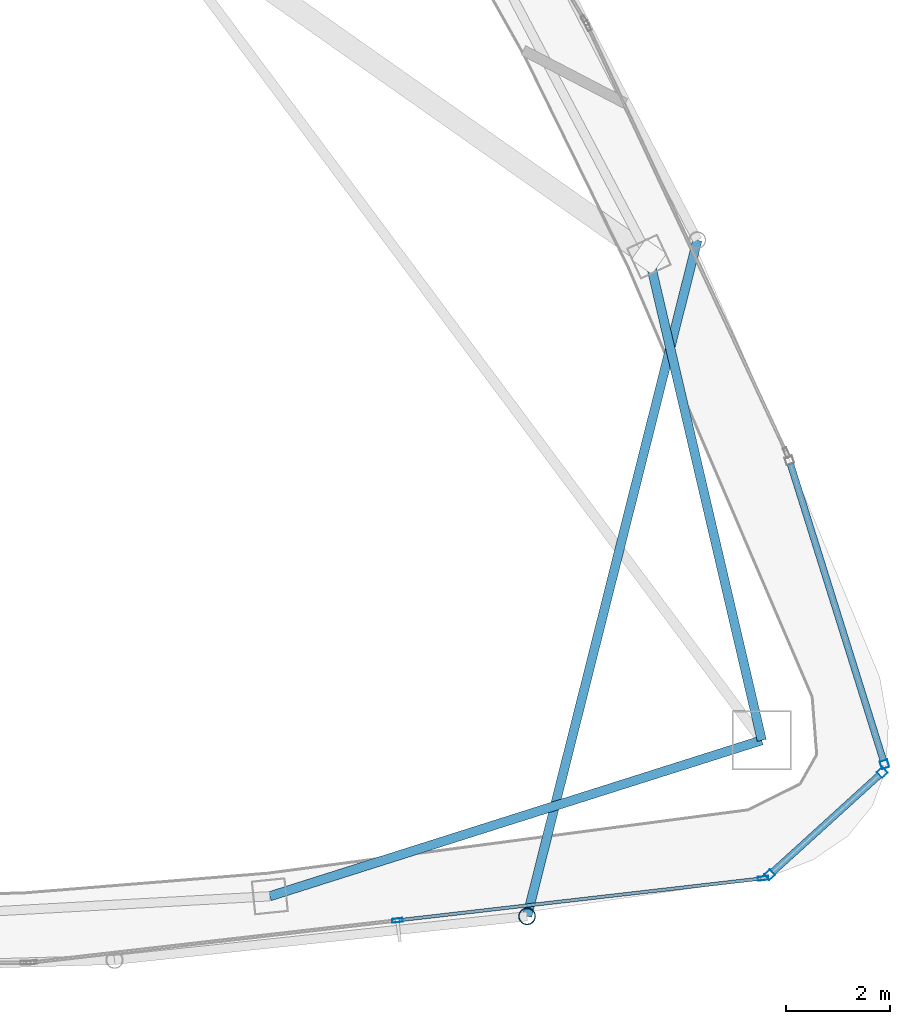
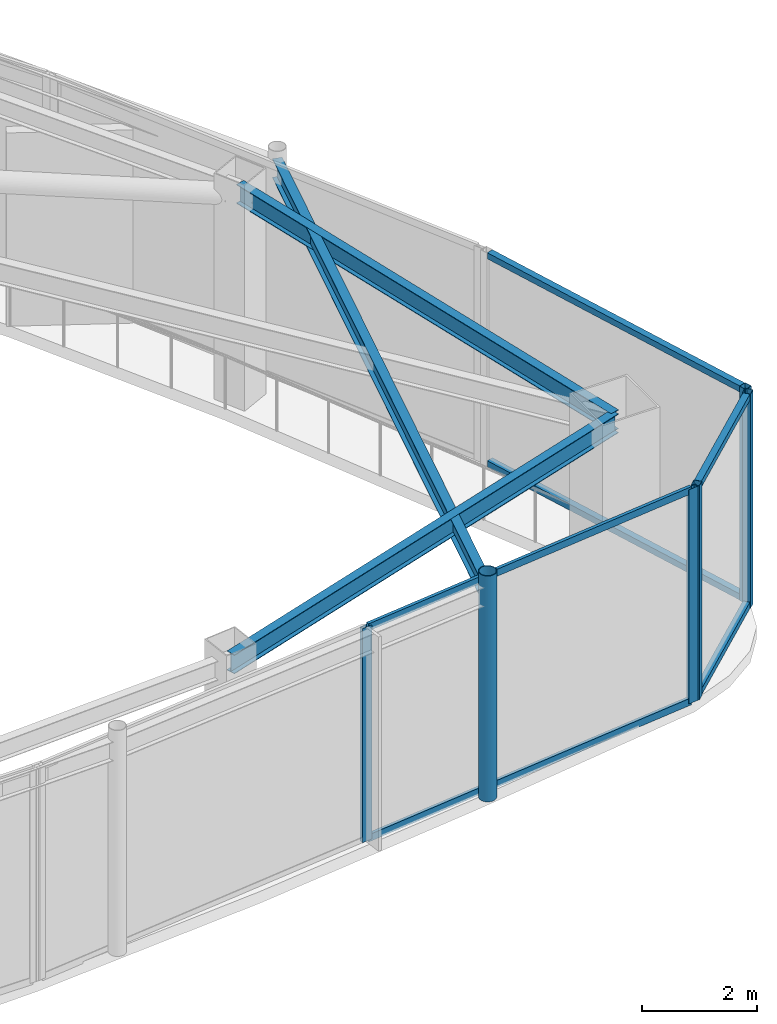
# One storey, part 11 of 20: 12 members, 3 beams, 3 elements without a shape of their own.
"""IFC4 building model written with IfcOpenShell, lengths in metres."""

from ifc_helpers import new_model, si_unit, direction, frame, origin, origin_2d, place, context, subcontext, project, spatial, hollow_rectangle, hollow_circle, i_section, extrude, material, layer, layer_set, material_profile, profile_set, type_object, element, aggregate, save


model = new_model("IFC4")

# Units and contexts
model_context = context("Model", 3, precision=1e-05, world=origin(), true_north=direction((0.0, 1.0)))
body_context = subcontext(model_context, "Body", "Model", "MODEL_VIEW")
ifc_project = project(units=[si_unit("LENGTHUNIT", "METRE"), si_unit("AREAUNIT", "SQUARE_METRE"), si_unit("VOLUMEUNIT", "CUBIC_METRE"), si_unit("PLANEANGLEUNIT", "RADIAN"), si_unit("MASSUNIT", "GRAM", prefix="KILO")], contexts=[model_context])

# Site, building, storey
site_placement = place(None, origin())
site = spatial("IfcSite", under=ifc_project, at=site_placement, CompositionType="ELEMENT")
building_placement = place(site_placement, origin())
building = spatial("IfcBuilding", under=site, at=building_placement, Name="Orvanel Arch Residences", CompositionType="ELEMENT")
storey_placement = place(building_placement, frame((0.0, 0.0, 305.300048828125)))
storey = spatial("IfcBuildingStorey", under=building, at=storey_placement, Name="L85", CompositionType="ELEMENT", Elevation=305.300048828125)

# Curtain wall, members
ifc_material_1 = material(Name="Bronze-anodised aluminium AA6063-T6", Category="aluminium")
ifc_layer = layer(ifc_material_1, 0.2099609375)
ifc_layer_set = layer_set([ifc_layer], Name="Bronze-anodised aluminium AA6063-T6")
curtain_wall_type = type_object("IfcCurtainWallType", Name="CW7-TOP-SYS", PredefinedType="NOTDEFINED", material=ifc_layer_set)
curtain_wall_1_placement = place(storey_placement, origin())
curtain_wall_1 = element("IfcCurtainWall", 1, at=curtain_wall_1_placement, inside=storey, type_object=curtain_wall_type, Name="L85 CW7-TOP-SYS Unitised Curtain Wall", PredefinedType="NOTDEFINED")
ifc_material_profile_1 = material_profile(ifc_material_1, hollow_rectangle(XDim=0.14990234375, YDim=0.14990234375, WallThickness=0.0048828125, at=origin_2d()), Name="ALU150x150x5")
ifc_profile_set_1 = profile_set([ifc_material_profile_1], Name="Bronze-anodised aluminium AA6063-T6")
member_type_1 = type_object("IfcMemberType", Name="MUL-150x150", PredefinedType="MULLION", material=ifc_profile_set_1)
member_1_placement = place(storey_placement, frame((51.95361328125, 7.76953125, 0.0), z_axis=(0.0, 0.0, 1.0), x_axis=(-0.672462257522, 0.740131415499, 0.0)))
member_1 = element("IfcMember", 2, at=member_1_placement, type_object=member_type_1, Name="CW-S7 mullion 1", PredefinedType="MULLION", context=body_context, shape_type="SweptSolid", body=[
    extrude(hollow_rectangle(XDim=0.14990234375, YDim=0.14990234375, WallThickness=0.0048828125, at=origin_2d()), origin(), (0.0, 0.0, 1.0), 4.550048828125),
])
member_2_placement = place(storey_placement, frame((54.117431640625, 9.735595703125, 0.0), z_axis=(0.0, 0.0, 1.0), x_axis=(-0.672462257522, 0.740131415499, 0.0)))
member_2 = element("IfcMember", 3, at=member_2_placement, type_object=member_type_1, Name="CW-S7 mullion 2", PredefinedType="MULLION", context=body_context, shape_type="SweptSolid", body=[
    extrude(hollow_rectangle(XDim=0.14990234375, YDim=0.14990234375, WallThickness=0.0048828125, at=origin_2d()), origin(), (0.0, 0.0, 1.0), 4.550048828125),
])

# Curtain wall, member
curtain_wall_2_placement = place(storey_placement, origin())
curtain_wall_2 = element("IfcCurtainWall", 4, at=curtain_wall_2_placement, inside=storey, type_object=curtain_wall_type, Name="L85 CW7-TOP-SYS Unitised Curtain Wall", PredefinedType="NOTDEFINED")
member_3_placement = place(storey_placement, frame((54.15966796875, 9.8896484375, 0.0), z_axis=(0.0, 0.0, 1.0), x_axis=(-0.954283945864, -0.298901573542, 0.0)))
member_3 = element("IfcMember", 5, at=member_3_placement, type_object=member_type_1, Name="CW-S7 mullion 1", PredefinedType="MULLION", context=body_context, shape_type="SweptSolid", body=[
    extrude(hollow_rectangle(XDim=0.14990234375, YDim=0.14990234375, WallThickness=0.0048828125, at=origin_2d()), origin(), (0.0, 0.0, 1.0), 4.550048828125),
])

# Curtain wall, members
curtain_wall_3_placement = place(storey_placement, origin())
curtain_wall_3 = element("IfcCurtainWall", 6, at=curtain_wall_3_placement, inside=storey, type_object=curtain_wall_type, Name="L85 CW7-TOP-SYS Unitised Curtain Wall", PredefinedType="NOTDEFINED")
ifc_material_profile_2 = material_profile(ifc_material_1, hollow_rectangle(XDim=0.074951171875, YDim=0.199951171875, WallThickness=0.0048828125, at=origin_2d()), Name="ALU200x75x5")
ifc_profile_set_2 = profile_set([ifc_material_profile_2], Name="Bronze-anodised aluminium AA6063-T6")
member_type_2 = type_object("IfcMemberType", Name="MUL-200x75", PredefinedType="MULLION", material=ifc_profile_set_2)
member_4_placement = place(storey_placement, frame((44.802001953125, 6.89208984375, 0.0), z_axis=(0.0, 0.0, 1.0), x_axis=(-0.11424494002, 0.9934526127, 0.0)))
member_4 = element("IfcMember", 7, at=member_4_placement, type_object=member_type_2, Name="CW-S7 mullion 2", PredefinedType="MULLION", context=body_context, shape_type="SweptSolid", body=[
    extrude(hollow_rectangle(XDim=0.074951171875, YDim=0.199951171875, WallThickness=0.0048828125, at=origin_2d()), origin(), (0.0, 0.0, 1.0), 4.550048828125),
])
member_5_placement = place(storey_placement, frame((51.82568359375, 7.69970703125, 0.0), z_axis=(0.0, 0.0, 1.0), x_axis=(-0.11424494002, 0.9934526127, 0.0)))
member_5 = element("IfcMember", 8, at=member_5_placement, type_object=member_type_2, Name="CW-S7 mullion 3", PredefinedType="MULLION", context=body_context, shape_type="SweptSolid", body=[
    extrude(hollow_rectangle(XDim=0.074951171875, YDim=0.199951171875, WallThickness=0.0048828125, at=origin_2d()), origin(), (0.0, 0.0, 1.0), 4.550048828125),
])

# Beams
ifc_material_2 = material(Name="Structural steel AS/NZS 3679.1 Grade 300 (300 MPa)", Category="steel")
ifc_material_profile_3 = material_profile(ifc_material_2, i_section(OverallWidth=0.177978515625, OverallDepth=0.406005859375, WebThickness=0.0078125, FlangeThickness=0.0126953125, at=origin_2d()), Name="410UB59.7")
ifc_profile_set_3 = profile_set([ifc_material_profile_3], Name="Structural steel AS/NZS 3679.1 Grade 300 (300 MPa)")
beam_type_1 = type_object("IfcBeamType", Name="OB-410UB", PredefinedType="SPANDREL", material=ifc_profile_set_3)
beam_1_placement = place(storey_placement, frame((42.35107421875, 7.35498046875, 4.346923828125), z_axis=(0.953237386592, 0.302222574941, 0.0), x_axis=(-0.302222574941, 0.953237386592, 0.0)))
element("IfcBeam", 9, at=beam_1_placement, inside=storey, type_object=beam_type_1, Name="L85 Perimeter Spandrel Beam 05", PredefinedType="SPANDREL", context=body_context, shape_type="SweptSolid", body=[
    extrude(i_section(OverallWidth=0.177978515625, OverallDepth=0.406005859375, WebThickness=0.0078125, FlangeThickness=0.0126953125, at=origin_2d()), origin(), (0.0, 0.0, 1.0), 9.91357421875),
])
beam_2_placement = place(storey_placement, frame((51.801025390625, 10.35107421875, 4.346923828125), z_axis=(-0.227236087167, 0.973839699688, 0.0), x_axis=(-0.973839699688, -0.227236087167, 0.0)))
element("IfcBeam", 10, at=beam_2_placement, inside=storey, type_object=beam_type_1, Name="L85 Perimeter Spandrel Beam 06", PredefinedType="SPANDREL", context=body_context, shape_type="SweptSolid", body=[
    extrude(i_section(OverallWidth=0.177978515625, OverallDepth=0.406005859375, WebThickness=0.0078125, FlangeThickness=0.0126953125, at=origin_2d()), origin(), (0.0, 0.0, 1.0), 9.54052734375),
])
ifc_material_profile_4 = material_profile(ifc_material_2, i_section(OverallWidth=0.177978515625, OverallDepth=0.406005859375, WebThickness=0.0078125, FlangeThickness=0.0126953125, at=origin_2d()), Name="410UB59.7")
ifc_profile_set_4 = profile_set([ifc_material_profile_4], Name="Structural steel AS/NZS 3679.1 Grade 300 (300 MPa)")
beam_type_2 = type_object("IfcBeamType", Name="OB-410UB-EXT", PredefinedType="SPANDREL", material=ifc_profile_set_4)
beam_3_placement = place(storey_placement, frame((47.29296875, 6.969970703125, 4.346923828125), z_axis=(0.244220827224, 0.969719643789, 0.0), x_axis=(-0.969719643789, 0.244220827224, 0.0)))
element("IfcBeam", 11, at=beam_3_placement, inside=storey, type_object=beam_type_2, Name="L85 Outer Perimeter Floor Ring Beam 08", PredefinedType="SPANDREL", context=body_context, shape_type="SweptSolid", body=[
    extrude(i_section(OverallWidth=0.177978515625, OverallDepth=0.406005859375, WebThickness=0.0078125, FlangeThickness=0.0126953125, at=origin_2d()), origin(), (0.0, 0.0, 1.0), 13.3935546875),
])

# Member
ifc_material_3 = material(Name="Structural steel AS/NZS 1163 C350L0 (Grade 350)", Category="steel")
ifc_material_profile_5 = material_profile(ifc_material_3, hollow_circle(Radius=0.162109375, WallThickness=0.0126953125, at=origin_2d()), Name="CHS324x12.7")
ifc_profile_set_5 = profile_set([ifc_material_profile_5], Name="Structural steel AS/NZS 1163 C350L0 (Grade 350)")
member_type_3 = type_object("IfcMemberType", Name="ST-324CHS-EXT", PredefinedType="STRUT", material=ifc_profile_set_5)
member_6_placement = place(storey_placement, frame((47.29296875, 6.969970703125, 0.0), z_axis=(0.0, 0.0, 1.0), x_axis=(1.0, 0.0, 0.0)))
element("IfcMember", 12, at=member_6_placement, inside=storey, type_object=member_type_3, Name="L85 Outer Perimeter Frame Post 08", PredefinedType="STRUT", context=body_context, shape_type="SweptSolid", body=[
    extrude(hollow_circle(Radius=0.162109375, WallThickness=0.0126953125, at=origin_2d()), origin(), (0.0, 0.0, 1.0), 4.800048828125),
])

ifc_material_profile_6 = material_profile(ifc_material_1, hollow_rectangle(XDim=0.1298828125, YDim=0.1298828125, WallThickness=0.00439453125, at=origin_2d()), Name="ALU130x130x4.5")
ifc_profile_set_6 = profile_set([ifc_material_profile_6], Name="Bronze-anodised aluminium AA6063-T6")
member_type_4 = type_object("IfcMemberType", Name="TRN-130x130", PredefinedType="USERDEFINED", material=ifc_profile_set_6)
member_7_placement = place(storey_placement, frame((52.009033203125, 7.81982421875, 0.06494140625), z_axis=(0.740139175593, 0.672453716439, 0.0), x_axis=(-0.672453716439, 0.740139175593, 0.0)))
member_7 = element("IfcMember", 13, at=member_7_placement, type_object=member_type_4, Name="CW-S7 transom 1.1", ObjectType="TRANSOM", PredefinedType="USERDEFINED", context=body_context, shape_type="SweptSolid", body=[
    extrude(hollow_rectangle(XDim=0.1298828125, YDim=0.1298828125, WallThickness=0.00439453125, at=origin_2d()), origin(), (0.0, 0.0, 1.0), 2.773681640625),
])

member_8_placement = place(storey_placement, frame((52.009033203125, 7.81982421875, 4.48486328125), z_axis=(0.740139175593, 0.672453716439, 0.0), x_axis=(-0.672453716439, 0.740139175593, 0.0)))
member_8 = element("IfcMember", 14, at=member_8_placement, type_object=member_type_4, Name="CW-S7 transom 1.2", ObjectType="TRANSOM", PredefinedType="USERDEFINED", context=body_context, shape_type="SweptSolid", body=[
    extrude(hollow_rectangle(XDim=0.1298828125, YDim=0.1298828125, WallThickness=0.00439453125, at=origin_2d()), origin(), (0.0, 0.0, 1.0), 2.773681640625),
])

aggregate(curtain_wall_1, [member_1, member_2, member_7, member_8])

member_9_placement = place(storey_placement, frame((54.13720703125, 9.961181640625, 0.06494140625), z_axis=(-0.298912971075, 0.954280375845, 0.0), x_axis=(-0.954280375845, -0.298912971075, 0.0)))
member_9 = element("IfcMember", 15, at=member_9_placement, type_object=member_type_4, Name="CW-S7 transom 1.1", ObjectType="TRANSOM", PredefinedType="USERDEFINED", context=body_context, shape_type="SweptSolid", body=[
    extrude(hollow_rectangle(XDim=0.1298828125, YDim=0.1298828125, WallThickness=0.00439453125, at=origin_2d()), origin(), (0.0, 0.0, 1.0), 5.9697265625),
])

member_10_placement = place(storey_placement, frame((54.13720703125, 9.961181640625, 4.48486328125), z_axis=(-0.298912971075, 0.954280375845, 0.0), x_axis=(-0.954280375845, -0.298912971075, 0.0)))
member_10 = element("IfcMember", 16, at=member_10_placement, type_object=member_type_4, Name="CW-S7 transom 1.2", ObjectType="TRANSOM", PredefinedType="USERDEFINED", context=body_context, shape_type="SweptSolid", body=[
    extrude(hollow_rectangle(XDim=0.1298828125, YDim=0.1298828125, WallThickness=0.00439453125, at=origin_2d()), origin(), (0.0, 0.0, 1.0), 5.9697265625),
])

aggregate(curtain_wall_2, [member_3, member_9, member_10])

ifc_material_profile_7 = material_profile(ifc_material_1, hollow_rectangle(XDim=0.06494140625, YDim=0.14990234375, WallThickness=0.00390625, at=origin_2d()), Name="ALU150x65x4")
ifc_profile_set_7 = profile_set([ifc_material_profile_7], Name="Bronze-anodised aluminium AA6063-T6")
member_type_5 = type_object("IfcMemberType", Name="TRN-150x65", PredefinedType="USERDEFINED", material=ifc_profile_set_7)
member_11_placement = place(storey_placement, frame((44.83935546875, 6.896240234375, 0.032470703125), z_axis=(0.993453799179, 0.114234622144, 0.0), x_axis=(-0.114234622144, 0.993453799179, 0.0)))
member_11 = element("IfcMember", 17, at=member_11_placement, type_object=member_type_5, Name="CW-S7 transom 2.1", ObjectType="TRANSOM", PredefinedType="USERDEFINED", context=body_context, shape_type="SweptSolid", body=[
    extrude(hollow_rectangle(XDim=0.06494140625, YDim=0.14990234375, WallThickness=0.00390625, at=origin_2d()), origin(), (0.0, 0.0, 1.0), 6.9951171875),
])

member_12_placement = place(storey_placement, frame((44.83935546875, 6.896240234375, 4.517333984375), z_axis=(0.993453799179, 0.114234622144, 0.0), x_axis=(-0.114234622144, 0.993453799179, 0.0)))
member_12 = element("IfcMember", 18, at=member_12_placement, type_object=member_type_5, Name="CW-S7 transom 2.2", ObjectType="TRANSOM", PredefinedType="USERDEFINED", context=body_context, shape_type="SweptSolid", body=[
    extrude(hollow_rectangle(XDim=0.06494140625, YDim=0.14990234375, WallThickness=0.00390625, at=origin_2d()), origin(), (0.0, 0.0, 1.0), 6.9951171875),
])

aggregate(curtain_wall_3, [member_4, member_5, member_11, member_12])

save(model, "model.ifc")
